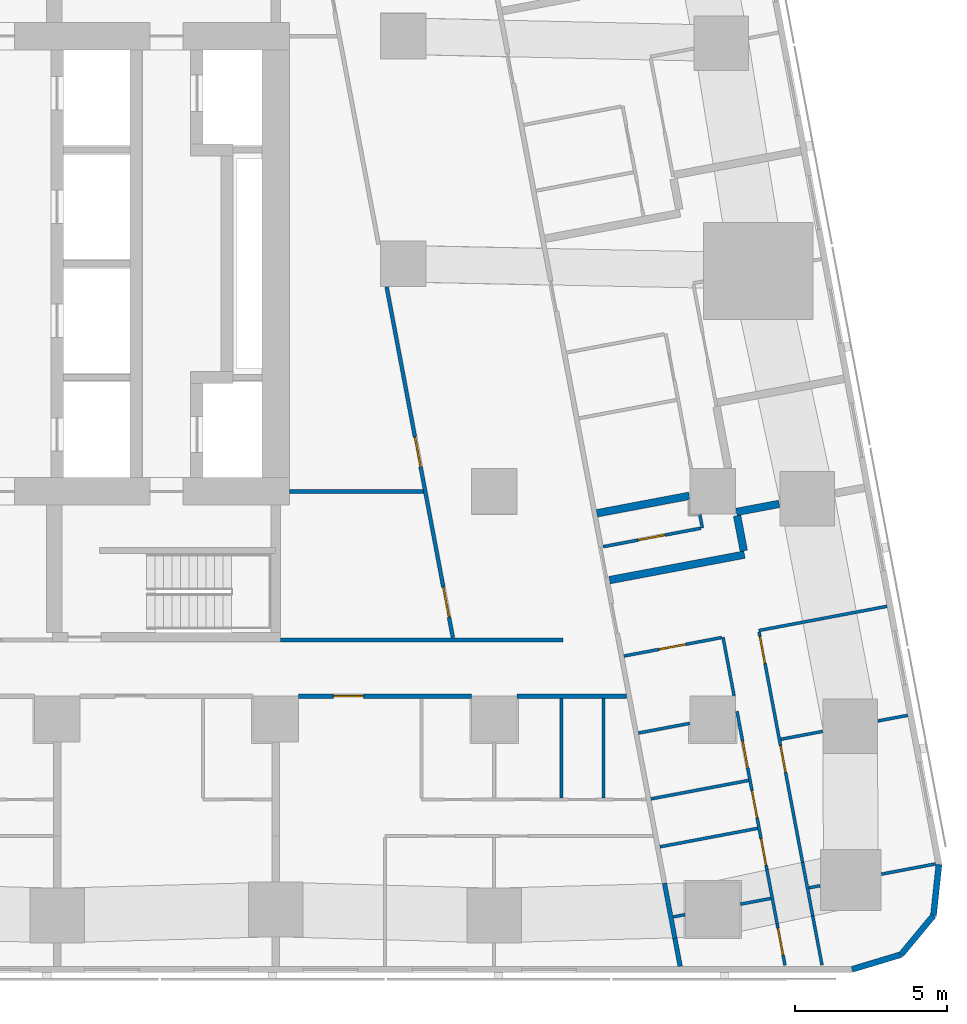
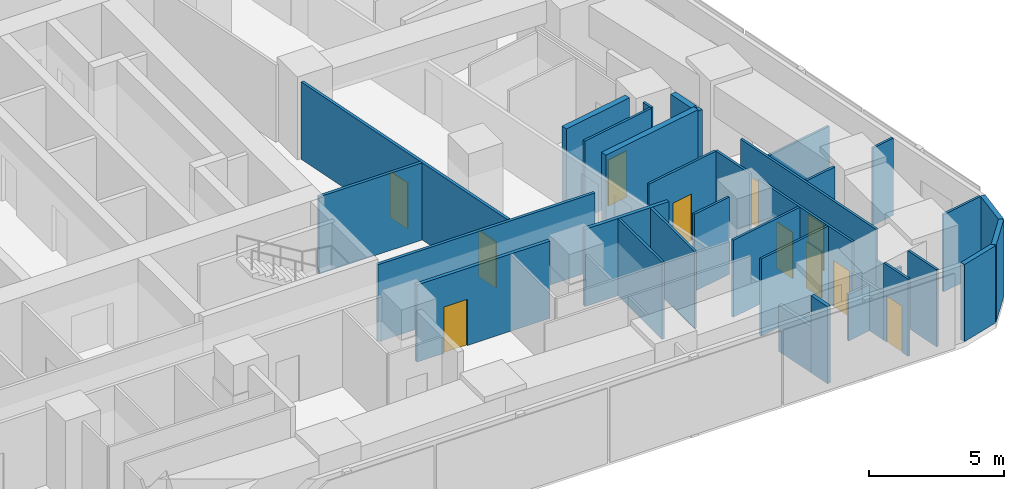
# One storey, part 6 of 15: 36 walls, 11 doors, 11 openings.
"""IFC4 building model written with IfcOpenShell, lengths in metres."""

from ifc_helpers import new_model, si_unit, direction, frame, frame_2d, origin, place, context, subcontext, project, spatial, rectangle, extrude, material, layer, layer_set, type_object, element, fill, save


model = new_model("IFC4")

# Units and contexts
model_context = context("Model", 3, precision=1e-05, world=origin(), true_north=direction((0.0, 1.0)))
body_context = subcontext(model_context, "Body", "Model", "MODEL_VIEW")
ifc_project = project(units=[si_unit("LENGTHUNIT", "METRE"), si_unit("AREAUNIT", "SQUARE_METRE"), si_unit("VOLUMEUNIT", "CUBIC_METRE"), si_unit("PLANEANGLEUNIT", "RADIAN"), si_unit("MASSUNIT", "GRAM", prefix="KILO")], contexts=[model_context])

# Site, building, storey
site_placement = place(None, origin())
site = spatial("IfcSite", under=ifc_project, at=site_placement, CompositionType="ELEMENT")
building_placement = place(site_placement, origin())
building = spatial("IfcBuilding", under=site, at=building_placement, Name="Sheger Commons Tower", CompositionType="ELEMENT")
storey_placement = place(building_placement, frame((0.0, 0.0, 169.550048828125)))
storey = spatial("IfcBuildingStorey", under=building, at=storey_placement, Name="L43", CompositionType="ELEMENT", Elevation=169.550048828125)

# Wall
ifc_material_1 = material(Name="Hollow concrete block masonry, skimmed both sides", Category="masonry")
ifc_layer_1 = layer(ifc_material_1, 0.14990234375)
ifc_layer_set_1 = layer_set([ifc_layer_1], Name="CORRIDOR WALL 150")
wall_type_1 = type_object("IfcWallType", Name="CORRIDOR WALL 150", PredefinedType="SOLIDWALL", material=ifc_layer_set_1)
wall_1_placement = place(storey_placement, frame((40.35595703125, 8.25, 0.0), z_axis=(0.0, 0.0, 1.0), x_axis=(-1.0, 0.0, 0.0)))
element("IfcWall", 1, at=wall_1_placement, inside=storey, type_object=wall_type_1, Name="Corridor wall L43", PredefinedType="SOLIDWALL", context=body_context, shape_type="SweptSolid", body=[
    extrude(rectangle(XDim=3.60498046875, YDim=0.14990234375, at=frame_2d((1.802490234375, 0.0))), origin(), (0.0, 0.0, 1.0), 3.5),
])

# Wall, opening, door
wall_2_placement = place(storey_placement, frame((35.2490234375, 8.25, 0.0), z_axis=(0.0, 0.0, 1.0), x_axis=(-1.0, 0.0, 0.0)))
wall_2 = element("IfcWall", 2, at=wall_2_placement, inside=storey, type_object=wall_type_1, Name="Corridor wall L43", PredefinedType="SOLIDWALL", context=body_context, shape_type="SweptSolid", body=[
    extrude(rectangle(XDim=5.697998046875, YDim=0.14990234375, at=frame_2d((2.84912109375, 0.0))), origin(), (0.0, 0.0, 1.0), 3.5),
])
opening_1_placement = place(wall_2_placement, frame((3.549072265625, 0.0, 0.0)))
opening_1 = element("IfcOpeningElement", 3, at=opening_1_placement, cuts=wall_2, Name="Opening D1", PredefinedType="OPENING", context=body_context, shape_type="SweptSolid", body=[
    extrude(rectangle(XDim=1.0, YDim=2.10009765625, at=frame_2d((0.5, 1.050048828125))), frame((0.0, 0.0849609375, 0.0), z_axis=(0.0, -1.0, 0.0), x_axis=(1.0, 0.0, 0.0)), (0.0, 0.0, 1.0), 0.169921875),
])
ifc_material_2 = material(Name="Steel door set, fire rated", Category="steel")
door_type_1 = type_object("IfcDoorType", Name="FLAT ENTRANCE DOOR 1000x2100", OperationType="NOTDEFINED", PredefinedType="DOOR", material=ifc_material_2)
door_1_placement = place(opening_1_placement, origin())
door_1 = element("IfcDoor", 4, at=door_1_placement, inside=storey, type_object=door_type_1, Name="Flat entrance door", OperationType="SINGLE_SWING_RIGHT", OverallHeight=2.10009765625, OverallWidth=1.0, PredefinedType="DOOR", context=body_context, shape_type="SweptSolid", body=[
    extrude(rectangle(XDim=1.0, YDim=2.10009765625, at=frame_2d((0.5, 1.050048828125))), frame((0.0, 0.02490234375, 0.0), z_axis=(0.0, -1.0, 0.0), x_axis=(1.0, 0.0, 0.0)), (0.0, 0.0, 1.0), 0.050048828125),
])
fill(opening_1, door_1)

# Walls
wall_3_placement = place(storey_placement, frame((41.60888671875, 2.093017578125, 0.0), z_axis=(0.0, 0.0, 1.0), x_axis=(0.185708872674, -0.982604811005, 0.0)))
element("IfcWall", 5, at=wall_3_placement, inside=storey, type_object=wall_type_1, Name="Corridor wall L43", PredefinedType="SOLIDWALL", context=body_context, shape_type="SweptSolid", body=[
    extrude(rectangle(XDim=1.84716796875, YDim=0.14990234375, at=frame_2d((0.923583984375, 0.0))), origin(), (0.0, 0.0, 1.0), 2.099853515625),
])
wall_4_placement = place(storey_placement, frame((41.951904296875, 0.278076171875, 0.0), z_axis=(0.0, 0.0, 1.0), x_axis=(0.185365466984, -0.982669651332, 0.0)))
element("IfcWall", 6, at=wall_4_placement, inside=storey, type_object=wall_type_1, Name="Corridor wall L43", PredefinedType="SOLIDWALL", context=body_context, shape_type="SweptSolid", body=[
    extrude(rectangle(XDim=0.9443359375, YDim=0.14990234375, at=frame_2d((0.47216796875, 0.0))), origin(), (0.0, 0.0, 1.0), 3.5),
])
ifc_material_3 = material(Name="Dense concrete block masonry, plastered both sides (separating wall between flats)", Category="masonry")
ifc_layer_2 = layer(ifc_material_3, 0.25)
ifc_layer_set_2 = layer_set([ifc_layer_2], Name="DEMISING WALL 250")
wall_type_2 = type_object("IfcWallType", Name="DEMISING WALL 250", PredefinedType="SOLIDWALL", material=ifc_layer_set_2)
wall_5_placement = place(storey_placement, frame((42.426025390625, 14.85400390625, 0.0), z_axis=(0.0, 0.0, 1.0), x_axis=(-0.982603320446, -0.185716759201, 0.0)))
element("IfcWall", 7, at=wall_5_placement, inside=storey, type_object=wall_type_2, Name="Demising wall L43", PredefinedType="SOLIDWALL", context=body_context, shape_type="SweptSolid", body=[
    extrude(rectangle(XDim=3.095947265625, YDim=0.25, at=frame_2d((1.5478515625, 0.0))), origin(), (0.0, 0.0, 1.0), 3.5),
])
wall_6_placement = place(storey_placement, frame((45.389892578125, 14.587890625, 0.0), z_axis=(0.0, 0.0, 1.0), x_axis=(-0.982680951688, -0.18530555089, 0.0)))
element("IfcWall", 8, at=wall_6_placement, inside=storey, type_object=wall_type_2, Name="Demising wall L43", PredefinedType="SOLIDWALL", context=body_context, shape_type="SweptSolid", body=[
    extrude(rectangle(XDim=1.434814453125, YDim=0.25, at=frame_2d((0.71728515625, 0.0))), origin(), (0.0, 0.0, 1.0), 2.099853515625),
])
wall_7_placement = place(storey_placement, frame((44.24609375, 12.916015625, 0.0), z_axis=(0.0, 0.0, 1.0), x_axis=(-0.982612837616, -0.185666398014, 0.0)))
element("IfcWall", 9, at=wall_7_placement, inside=storey, type_object=wall_type_2, Name="Demising wall L43", PredefinedType="SOLIDWALL", context=body_context, shape_type="SweptSolid", body=[
    extrude(rectangle(XDim=4.524658203125, YDim=0.25, at=frame_2d((2.26220703125, 0.0))), origin(), (0.0, 0.0, 1.0), 3.5),
])
wall_8_placement = place(storey_placement, frame((44.0029296875, 14.198974609375, 0.0), z_axis=(0.0, 0.0, 1.0), x_axis=(0.186323326179, -0.982488482437, 0.0)))
element("IfcWall", 10, at=wall_8_placement, inside=storey, type_object=wall_type_2, Name="Demising wall L43", PredefinedType="SOLIDWALL", context=body_context, shape_type="SweptSolid", body=[
    extrude(rectangle(XDim=1.1806640625, YDim=0.25, at=frame_2d((0.59033203125, 0.0))), origin(), (0.0, 0.0, 1.0), 3.5),
])
ifc_material_4 = material(Name="Rendered concrete block masonry, dark grey", Category="masonry")
ifc_layer_3 = layer(ifc_material_4, 0.199951171875)
ifc_layer_set_3 = layer_set([ifc_layer_3], Name="FACADE WALL 200")
wall_type_3 = type_object("IfcWallType", Name="FACADE WALL 200", PredefinedType="SOLIDWALL", material=ifc_layer_set_3)
wall_9_placement = place(storey_placement, frame((47.791015625, -0.75, 0.0), z_axis=(0.0, 0.0, 1.0), x_axis=(0.957455232626, 0.288581838509, 0.0)))
element("IfcWall", 11, at=wall_9_placement, inside=storey, type_object=wall_type_3, Name="Facade wall L43", PredefinedType="SOLIDWALL", context=body_context, shape_type="SweptSolid", body=[
    extrude(rectangle(XDim=1.687744140625, YDim=0.199951171875, at=frame_2d((0.84375, 0.0))), origin(), (0.0, 0.0, 1.0), 3.5),
])
wall_10_placement = place(storey_placement, frame((49.406982421875, -0.262939453125, 0.0), z_axis=(0.0, 0.0, 1.0), x_axis=(0.638042593423, 0.770001070764, 0.0)))
element("IfcWall", 12, at=wall_10_placement, inside=storey, type_object=wall_type_3, Name="Facade wall L43", PredefinedType="SOLIDWALL", context=body_context, shape_type="SweptSolid", body=[
    extrude(rectangle(XDim=1.672607421875, YDim=0.199951171875, at=frame_2d((0.83642578125, 0.0))), origin(), (0.0, 0.0, 1.0), 3.5),
])
wall_11_placement = place(storey_placement, frame((50.47412109375, 1.02490234375, 0.0), z_axis=(0.0, 0.0, 1.0), x_axis=(0.106047815515, 0.994361031429, 0.0)))
element("IfcWall", 13, at=wall_11_placement, inside=storey, type_object=wall_type_3, Name="Facade wall L43", PredefinedType="SOLIDWALL", context=body_context, shape_type="SweptSolid", body=[
    extrude(rectangle(XDim=1.6875, YDim=0.199951171875, at=frame_2d((0.84375, 0.0))), origin(), (0.0, 0.0, 1.0), 3.5),
])
ifc_material_5 = material(Name="Gypsum board on steel studs", Category="steel")
ifc_layer_4 = layer(ifc_material_5, 0.10009765625)
ifc_layer_set_4 = layer_set([ifc_layer_4], Name="PARTITION 100")
wall_type_4 = type_object("IfcWallType", Name="PARTITION 100", PredefinedType="PARTITIONING", material=ifc_layer_set_4)
for number, where, z_axis, x_axis, name in (
    (14, (39.60009765625, 4.89990234375, 0.0), (0.0, 0.0, 1.0), (0.0, 1.0, 0.0), "Partition L43"),
    (15, (38.2099609375, 4.89990234375, 0.0), (0.0, 0.0, 1.0), (0.0, 1.0, 0.0), "Partition L43"),
):
    element("IfcWall", number, at=place(storey_placement, frame(where, z_axis=z_axis, x_axis=x_axis)), inside=storey, type_object=wall_type_4, Name=name, PredefinedType="PARTITIONING", context=body_context, shape_type="SweptSolid", body=[
        extrude(rectangle(XDim=3.275146484375, YDim=0.10009765625, at=frame_2d((1.6376953125, 0.0))), origin(), (0.0, 0.0, 1.0), 3.5),
    ])
wall_12_placement = place(storey_placement, frame((42.77490234375, 14.239990234375, 0.0), z_axis=(0.0, 0.0, 1.0), x_axis=(0.185035443692, -0.982731847748, 0.0)))
element("IfcWall", 16, at=wall_12_placement, inside=storey, type_object=wall_type_4, Name="Partition L43", PredefinedType="PARTITIONING", context=body_context, shape_type="SweptSolid", body=[
    extrude(rectangle(XDim=0.453857421875, YDim=0.10009765625, at=frame_2d((0.22705078125, 0.0))), origin(), (0.0, 0.0, 1.0), 3.5),
])

# Wall, opening, door
wall_13_placement = place(storey_placement, frame((42.81005859375, 13.784912109375, 0.0), z_axis=(0.0, 0.0, 1.0), x_axis=(-0.982620626894, -0.185625169636, 0.0)))
wall_13 = element("IfcWall", 17, at=wall_13_placement, inside=storey, type_object=wall_type_4, Name="Partition L43", PredefinedType="PARTITIONING", context=body_context, shape_type="SweptSolid", body=[
    extrude(rectangle(XDim=3.27490234375, YDim=0.10009765625, at=frame_2d((1.637451171875, 0.0))), origin(), (0.0, 0.0, 1.0), 3.5),
])
opening_2_placement = place(wall_13_placement, frame((1.200927734375, 0.0, 0.0)))
opening_2 = element("IfcOpeningElement", 18, at=opening_2_placement, cuts=wall_13, Name="Opening D2", PredefinedType="OPENING", context=body_context, shape_type="SweptSolid", body=[
    extrude(rectangle(XDim=0.89990234375, YDim=2.10009765625, at=frame_2d((0.449951171875, 1.050048828125))), frame((0.0, 0.06005859375, 0.0), z_axis=(0.0, -1.0, 0.0), x_axis=(1.0, 0.0, 0.0)), (0.0, 0.0, 1.0), 0.1201171875),
])
ifc_material_6 = material(Name="Timber door set", Category="wood")
door_type_2 = type_object("IfcDoorType", Name="INTERNAL DOOR 900x2100", OperationType="NOTDEFINED", PredefinedType="DOOR", material=ifc_material_6)
door_2_placement = place(opening_2_placement, origin())
door_2 = element("IfcDoor", 19, at=door_2_placement, inside=storey, type_object=door_type_2, Name="Shower room door", OperationType="SINGLE_SWING_LEFT", OverallHeight=2.10009765625, OverallWidth=0.89990234375, PredefinedType="DOOR", context=body_context, shape_type="SweptSolid", body=[
    extrude(rectangle(XDim=0.89990234375, YDim=2.10009765625, at=frame_2d((0.449951171875, 1.050048828125))), frame((0.0, 0.02490234375, 0.0), z_axis=(0.0, -1.0, 0.0), x_axis=(1.0, 0.0, 0.0)), (0.0, 0.0, 1.0), 0.050048828125),
])
fill(opening_2, door_2)

# Wall, openings, doors
wall_14_placement = place(storey_placement, frame((44.72705078125, 10.365966796875, 0.0), z_axis=(0.0, 0.0, 1.0), x_axis=(0.185578957652, -0.982629355595, 0.0)))
wall_14 = element("IfcWall", 20, at=wall_14_placement, inside=storey, type_object=wall_type_4, Name="Partition L43", PredefinedType="PARTITIONING", context=body_context, shape_type="SweptSolid", body=[
    extrude(rectangle(XDim=7.720947265625, YDim=0.10009765625, at=frame_2d((3.8603515625, 0.0))), origin(), (0.0, 0.0, 1.0), 3.5),
])
opening_3_placement = place(wall_14_placement, frame((0.15087890625, 0.0, 0.0)))
opening_3 = element("IfcOpeningElement", 21, at=opening_3_placement, cuts=wall_14, Name="Opening D2", PredefinedType="OPENING", context=body_context, shape_type="SweptSolid", body=[
    extrude(rectangle(XDim=0.89990234375, YDim=2.10009765625, at=frame_2d((0.449951171875, 1.050048828125))), frame((0.0, 0.06005859375, 0.0), z_axis=(0.0, -1.0, 0.0), x_axis=(1.0, 0.0, 0.0)), (0.0, 0.0, 1.0), 0.1201171875),
])
opening_4_placement = place(wall_14_placement, frame((3.805908203125, 0.0, 0.0)))
opening_4 = element("IfcOpeningElement", 22, at=opening_4_placement, cuts=wall_14, Name="Opening D2", PredefinedType="OPENING", context=body_context, shape_type="SweptSolid", body=[
    extrude(rectangle(XDim=0.89990234375, YDim=2.10009765625, at=frame_2d((0.449951171875, 1.050048828125))), frame((0.0, 0.06005859375, 0.0), z_axis=(0.0, -1.0, 0.0), x_axis=(1.0, 0.0, 0.0)), (0.0, 0.0, 1.0), 0.1201171875),
])
door_3_placement = place(opening_3_placement, origin())
door_3 = element("IfcDoor", 23, at=door_3_placement, inside=storey, type_object=door_type_2, Name="Main bedroom door", OperationType="SINGLE_SWING_LEFT", OverallHeight=2.10009765625, OverallWidth=0.89990234375, PredefinedType="DOOR", context=body_context, shape_type="SweptSolid", body=[
    extrude(rectangle(XDim=0.89990234375, YDim=2.10009765625, at=frame_2d((0.449951171875, 1.050048828125))), frame((0.0, 0.02490234375, 0.0), z_axis=(0.0, -1.0, 0.0), x_axis=(1.0, 0.0, 0.0)), (0.0, 0.0, 1.0), 0.050048828125),
])
fill(opening_3, door_3)
door_4_placement = place(opening_4_placement, origin())
door_4 = element("IfcDoor", 24, at=door_4_placement, inside=storey, type_object=door_type_2, Name="Bedroom 2 door", OperationType="SINGLE_SWING_LEFT", OverallHeight=2.10009765625, OverallWidth=0.89990234375, PredefinedType="DOOR", context=body_context, shape_type="SweptSolid", body=[
    extrude(rectangle(XDim=0.89990234375, YDim=2.10009765625, at=frame_2d((0.449951171875, 1.050048828125))), frame((0.0, 0.02490234375, 0.0), z_axis=(0.0, -1.0, 0.0), x_axis=(1.0, 0.0, 0.0)), (0.0, 0.0, 1.0), 0.050048828125),
])
fill(opening_4, door_4)

# Walls
wall_15_placement = place(storey_placement, frame((46.159912109375, 2.779052734375, 0.0), z_axis=(0.0, 0.0, 1.0), x_axis=(0.18597295662, -0.982554863306, 0.0)))
element("IfcWall", 25, at=wall_15_placement, inside=storey, type_object=wall_type_4, Name="Partition L43", PredefinedType="PARTITIONING", context=body_context, shape_type="SweptSolid", body=[
    extrude(rectangle(XDim=1.802490234375, YDim=0.10009765625, at=frame_2d((0.9013671875, 0.0))), origin(), (0.0, 0.0, 1.0), 2.099853515625),
])
wall_16_placement = place(storey_placement, frame((46.4951171875, 1.008056640625, 0.0), z_axis=(0.0, 0.0, 1.0), x_axis=(0.185535059532, -0.982637645159, 0.0)))
element("IfcWall", 26, at=wall_16_placement, inside=storey, type_object=wall_type_4, Name="Partition L43", PredefinedType="PARTITIONING", context=body_context, shape_type="SweptSolid", body=[
    extrude(rectangle(XDim=1.6435546875, YDim=0.10009765625, at=frame_2d((0.82177734375, 0.0))), origin(), (0.0, 0.0, 1.0), 3.5),
])
wall_17_placement = place(storey_placement, frame((43.5390625, 10.19189453125, 0.0), z_axis=(0.0, 0.0, 1.0), x_axis=(0.18564540894, -0.982616803306, 0.0)))
element("IfcWall", 27, at=wall_17_placement, inside=storey, type_object=wall_type_4, Name="Partition L43", PredefinedType="PARTITIONING", context=body_context, shape_type="SweptSolid", body=[
    extrude(rectangle(XDim=1.966064453125, YDim=0.10009765625, at=frame_2d((0.98291015625, 0.0))), origin(), (0.0, 0.0, 1.0), 3.5),
])

# Wall, openings, doors
wall_18_placement = place(storey_placement, frame((43.9990234375, 7.7548828125, 0.0), z_axis=(0.0, 0.0, 1.0), x_axis=(0.185565904578, -0.982631820703, 0.0)))
wall_18 = element("IfcWall", 28, at=wall_18_placement, inside=storey, type_object=wall_type_4, Name="Partition L43", PredefinedType="PARTITIONING", context=body_context, shape_type="SweptSolid", body=[
    extrude(rectangle(XDim=5.319091796875, YDim=0.10009765625, at=frame_2d((2.65966796875, 0.0))), origin(), (0.0, 0.0, 1.0), 3.5),
])
opening_5_placement = place(wall_18_placement, frame((1.0, 0.0, 0.0)))
opening_5 = element("IfcOpeningElement", 29, at=opening_5_placement, cuts=wall_18, Name="Opening D2", PredefinedType="OPENING", context=body_context, shape_type="SweptSolid", body=[
    extrude(rectangle(XDim=0.89990234375, YDim=2.10009765625, at=frame_2d((0.449951171875, 1.050048828125))), frame((0.0, 0.06005859375, 0.0), z_axis=(0.0, -1.0, 0.0), x_axis=(1.0, 0.0, 0.0)), (0.0, 0.0, 1.0), 0.1201171875),
])
opening_6_placement = place(wall_18_placement, frame((4.26904296875, 0.0, 0.0)))
opening_6 = element("IfcOpeningElement", 30, at=opening_6_placement, cuts=wall_18, Name="Opening D2", PredefinedType="OPENING", context=body_context, shape_type="SweptSolid", body=[
    extrude(rectangle(XDim=0.89990234375, YDim=2.10009765625, at=frame_2d((0.449951171875, 1.050048828125))), frame((0.0, 0.06005859375, 0.0), z_axis=(0.0, -1.0, 0.0), x_axis=(1.0, 0.0, 0.0)), (0.0, 0.0, 1.0), 0.1201171875),
])
opening_7_placement = place(wall_18_placement, frame((2.6650390625, 0.0, 0.0)))
opening_7 = element("IfcOpeningElement", 31, at=opening_7_placement, cuts=wall_18, Name="Opening D2", PredefinedType="OPENING", context=body_context, shape_type="SweptSolid", body=[
    extrude(rectangle(XDim=0.89990234375, YDim=2.10009765625, at=frame_2d((0.449951171875, 1.050048828125))), frame((0.0, 0.06005859375, 0.0), z_axis=(0.0, -1.0, 0.0), x_axis=(1.0, 0.0, 0.0)), (0.0, 0.0, 1.0), 0.1201171875),
])
door_5_placement = place(opening_5_placement, origin())
door_5 = element("IfcDoor", 32, at=door_5_placement, inside=storey, type_object=door_type_2, Name="Bathroom door", OperationType="SINGLE_SWING_LEFT", OverallHeight=2.10009765625, OverallWidth=0.89990234375, PredefinedType="DOOR", context=body_context, shape_type="SweptSolid", body=[
    extrude(rectangle(XDim=0.89990234375, YDim=2.10009765625, at=frame_2d((0.449951171875, 1.050048828125))), frame((0.0, 0.02490234375, 0.0), z_axis=(0.0, -1.0, 0.0), x_axis=(1.0, 0.0, 0.0)), (0.0, 0.0, 1.0), 0.050048828125),
])
fill(opening_5, door_5)
door_6_placement = place(opening_6_placement, origin())
door_6 = element("IfcDoor", 33, at=door_6_placement, inside=storey, type_object=door_type_2, Name="Laundry room door", OperationType="SINGLE_SWING_LEFT", OverallHeight=2.10009765625, OverallWidth=0.89990234375, PredefinedType="DOOR", context=body_context, shape_type="SweptSolid", body=[
    extrude(rectangle(XDim=0.89990234375, YDim=2.10009765625, at=frame_2d((0.449951171875, 1.050048828125))), frame((0.0, 0.02490234375, 0.0), z_axis=(0.0, -1.0, 0.0), x_axis=(1.0, 0.0, 0.0)), (0.0, 0.0, 1.0), 0.050048828125),
])
fill(opening_6, door_6)
door_7_placement = place(opening_7_placement, origin())
door_7 = element("IfcDoor", 34, at=door_7_placement, inside=storey, type_object=door_type_2, Name="Store door", OperationType="SINGLE_SWING_LEFT", OverallHeight=2.10009765625, OverallWidth=0.89990234375, PredefinedType="DOOR", context=body_context, shape_type="SweptSolid", body=[
    extrude(rectangle(XDim=0.89990234375, YDim=2.10009765625, at=frame_2d((0.449951171875, 1.050048828125))), frame((0.0, 0.02490234375, 0.0), z_axis=(0.0, -1.0, 0.0), x_axis=(1.0, 0.0, 0.0)), (0.0, 0.0, 1.0), 0.050048828125),
])
fill(opening_7, door_7)

# Wall
wall_19_placement = place(storey_placement, frame((44.986083984375, 2.528076171875, 0.0), z_axis=(0.0, 0.0, 1.0), x_axis=(0.18584218627, -0.982579605835, 0.0)))
element("IfcWall", 35, at=wall_19_placement, inside=storey, type_object=wall_type_4, Name="Partition L43", PredefinedType="PARTITIONING", context=body_context, shape_type="SweptSolid", body=[
    extrude(rectangle(XDim=1.802490234375, YDim=0.10009765625, at=frame_2d((0.9013671875, 0.0))), origin(), (0.0, 0.0, 1.0), 2.099853515625),
])

# Wall, opening, door
wall_20_placement = place(storey_placement, frame((45.321044921875, 0.757080078125, 0.0), z_axis=(0.0, 0.0, 1.0), x_axis=(0.185640562635, -0.982617718904, 0.0)))
wall_20 = element("IfcWall", 36, at=wall_20_placement, inside=storey, type_object=wall_type_4, Name="Partition L43", PredefinedType="PARTITIONING", context=body_context, shape_type="SweptSolid", body=[
    extrude(rectangle(XDim=1.395263671875, YDim=0.10009765625, at=frame_2d((0.69775390625, 0.0))), origin(), (0.0, 0.0, 1.0), 3.5),
])
opening_8_placement = place(wall_20_placement, frame((0.14990234375, 0.0, 0.0)))
opening_8 = element("IfcOpeningElement", 37, at=opening_8_placement, cuts=wall_20, Name="Opening D2", PredefinedType="OPENING", context=body_context, shape_type="SweptSolid", body=[
    extrude(rectangle(XDim=0.89990234375, YDim=2.10009765625, at=frame_2d((0.449951171875, 1.050048828125))), frame((0.0, 0.06005859375, 0.0), z_axis=(0.0, -1.0, 0.0), x_axis=(1.0, 0.0, 0.0)), (0.0, 0.0, 1.0), 0.1201171875),
])
door_8_placement = place(opening_8_placement, origin())
door_8 = element("IfcDoor", 38, at=door_8_placement, inside=storey, type_object=door_type_2, Name="Laundry room door", OperationType="SINGLE_SWING_RIGHT", OverallHeight=2.10009765625, OverallWidth=0.89990234375, PredefinedType="DOOR", context=body_context, shape_type="SweptSolid", body=[
    extrude(rectangle(XDim=0.89990234375, YDim=2.10009765625, at=frame_2d((0.449951171875, 1.050048828125))), frame((0.0, 0.02490234375, 0.0), z_axis=(0.0, -1.0, 0.0), x_axis=(1.0, 0.0, 0.0)), (0.0, 0.0, 1.0), 0.050048828125),
])
fill(opening_8, door_8)

# Walls
wall_21_placement = place(storey_placement, frame((48.943115234375, 11.212890625, 0.0), z_axis=(0.0, 0.0, 1.0), x_axis=(-0.982633535512, -0.185556823879, 0.0)))
element("IfcWall", 39, at=wall_21_placement, inside=storey, type_object=wall_type_4, Name="Partition L43", PredefinedType="PARTITIONING", context=body_context, shape_type="SweptSolid", body=[
    extrude(rectangle(XDim=4.2998046875, YDim=0.10009765625, at=frame_2d((2.14990234375, 0.0))), origin(), (0.0, 0.0, 1.0), 2.099853515625),
])
wall_22_placement = place(storey_placement, frame((49.6220703125, 7.6201171875, 0.0), z_axis=(0.0, 0.0, 1.0), x_axis=(-0.982708646087, -0.185158626332, 0.0)))
element("IfcWall", 40, at=wall_22_placement, inside=storey, type_object=wall_type_4, Name="Partition L43", PredefinedType="PARTITIONING", context=body_context, shape_type="SweptSolid", body=[
    extrude(rectangle(XDim=0.99951171875, YDim=0.10009765625, at=frame_2d((0.499755859375, 0.0))), origin(), (0.0, 0.0, 1.0), 3.5),
])
wall_23_placement = place(storey_placement, frame((46.820068359375, 7.091064453125, 0.0), z_axis=(0.0, 0.0, 1.0), x_axis=(-0.982689853246, -0.185258339427, 0.0)))
element("IfcWall", 41, at=wall_23_placement, inside=storey, type_object=wall_type_4, Name="Partition L43", PredefinedType="PARTITIONING", context=body_context, shape_type="SweptSolid", body=[
    extrude(rectangle(XDim=1.398193359375, YDim=0.10009765625, at=frame_2d((0.69921875, 0.0))), origin(), (0.0, 0.0, 1.0), 3.5),
])
wall_24_placement = place(storey_placement, frame((50.547119140625, 2.72607421875, 0.0), z_axis=(0.0, 0.0, 1.0), x_axis=(-0.982603988143, -0.185713226471, 0.0)))
element("IfcWall", 42, at=wall_24_placement, inside=storey, type_object=wall_type_4, Name="Partition L43", PredefinedType="PARTITIONING", context=body_context, shape_type="SweptSolid", body=[
    extrude(rectangle(XDim=1.82080078125, YDim=0.10009765625, at=frame_2d((0.910400390625, 0.0))), origin(), (0.0, 0.0, 1.0), 3.5),
])
wall_25_placement = place(storey_placement, frame((46.738037109375, 2.006103515625, 0.0), z_axis=(0.0, 0.0, 1.0), x_axis=(-0.982820466874, -0.184564161994, 0.0)))
element("IfcWall", 43, at=wall_25_placement, inside=storey, type_object=wall_type_4, Name="Partition L43", PredefinedType="PARTITIONING", context=body_context, shape_type="SweptSolid", body=[
    extrude(rectangle(XDim=0.374267578125, YDim=0.10009765625, at=frame_2d((0.18701171875, 0.0))), origin(), (0.0, 0.0, 1.0), 2.099853515625),
])

# Wall, opening, door
wall_26_placement = place(storey_placement, frame((43.489990234375, 10.18310546875, 0.0), z_axis=(0.0, 0.0, 1.0), x_axis=(-0.982607026909, -0.185697147715, 0.0)))
wall_26 = element("IfcWall", 44, at=wall_26_placement, inside=storey, type_object=wall_type_4, Name="Partition L43", PredefinedType="PARTITIONING", context=body_context, shape_type="SweptSolid", body=[
    extrude(rectangle(XDim=3.27490234375, YDim=0.10009765625, at=frame_2d((1.637451171875, 0.0))), origin(), (0.0, 0.0, 1.0), 3.5),
])
opening_9_placement = place(wall_26_placement, frame((1.199951171875, 0.0, 0.0)))
opening_9 = element("IfcOpeningElement", 45, at=opening_9_placement, cuts=wall_26, Name="Opening D2", PredefinedType="OPENING", context=body_context, shape_type="SweptSolid", body=[
    extrude(rectangle(XDim=0.89990234375, YDim=2.10009765625, at=frame_2d((0.449951171875, 1.050048828125))), frame((0.0, 0.06005859375, 0.0), z_axis=(0.0, -1.0, 0.0), x_axis=(1.0, 0.0, 0.0)), (0.0, 0.0, 1.0), 0.1201171875),
])
door_9_placement = place(opening_9_placement, origin())
door_9 = element("IfcDoor", 46, at=door_9_placement, inside=storey, type_object=door_type_2, Name="Store door", OperationType="SINGLE_SWING_LEFT", OverallHeight=2.10009765625, OverallWidth=0.89990234375, PredefinedType="DOOR", context=body_context, shape_type="SweptSolid", body=[
    extrude(rectangle(XDim=0.89990234375, YDim=2.10009765625, at=frame_2d((0.449951171875, 1.050048828125))), frame((0.0, 0.02490234375, 0.0), z_axis=(0.0, -1.0, 0.0), x_axis=(1.0, 0.0, 0.0)), (0.0, 0.0, 1.0), 0.050048828125),
])
fill(opening_9, door_9)

# Walls
wall_27_placement = place(storey_placement, frame((42.43994140625, 7.35693359375, 0.0), z_axis=(0.0, 0.0, 1.0), x_axis=(-0.982643094077, -0.185506198448, 0.0)))
element("IfcWall", 47, at=wall_27_placement, inside=storey, type_object=wall_type_4, Name="Partition L43", PredefinedType="PARTITIONING", context=body_context, shape_type="SweptSolid", body=[
    extrude(rectangle(XDim=1.71875, YDim=0.10009765625, at=frame_2d((0.859375, 0.0))), origin(), (0.0, 0.0, 1.0), 3.5),
])
wall_28_placement = place(storey_placement, frame((45.114013671875, 1.5869140625, 0.0), z_axis=(0.0, 0.0, 1.0), x_axis=(-0.982567886437, -0.185904138047, 0.0)))
element("IfcWall", 48, at=wall_28_placement, inside=storey, type_object=wall_type_4, Name="Partition L43", PredefinedType="PARTITIONING", context=body_context, shape_type="SweptSolid", body=[
    extrude(rectangle(XDim=1.021728515625, YDim=0.10009765625, at=frame_2d((0.5107421875, 0.0))), origin(), (0.0, 0.0, 1.0), 2.099853515625),
])
wall_29_placement = place(storey_placement, frame((42.2900390625, 1.052978515625, 0.0), z_axis=(0.0, 0.0, 1.0), x_axis=(-0.982830800147, -0.184509127909, 0.0)))
element("IfcWall", 49, at=wall_29_placement, inside=storey, type_object=wall_type_4, Name="Partition L43", PredefinedType="PARTITIONING", context=body_context, shape_type="SweptSolid", body=[
    extrude(rectangle(XDim=0.40087890625, YDim=0.10009765625, at=frame_2d((0.200439453125, 0.0))), origin(), (0.0, 0.0, 1.0), 2.099853515625),
])
wall_30_placement = place(storey_placement, frame((44.677001953125, 3.89599609375, 0.0), z_axis=(0.0, 0.0, 1.0), x_axis=(-0.982610347627, -0.185679575441, 0.0)))
element("IfcWall", 50, at=wall_30_placement, inside=storey, type_object=wall_type_4, Name="Partition L43", PredefinedType="PARTITIONING", context=body_context, shape_type="SweptSolid", body=[
    extrude(rectangle(XDim=3.27392578125, YDim=0.10009765625, at=frame_2d((1.636962890625, 0.0))), origin(), (0.0, 0.0, 1.0), 3.5),
])
wall_31_placement = place(storey_placement, frame((44.37890625, 5.47412109375, 0.0), z_axis=(0.0, 0.0, 1.0), x_axis=(-0.982607026909, -0.185697147715, 0.0)))
element("IfcWall", 51, at=wall_31_placement, inside=storey, type_object=wall_type_4, Name="Partition L43", PredefinedType="PARTITIONING", context=body_context, shape_type="SweptSolid", body=[
    extrude(rectangle(XDim=3.27490234375, YDim=0.10009765625, at=frame_2d((1.637451171875, 0.0))), origin(), (0.0, 0.0, 1.0), 3.5),
])
ifc_material_7 = material(Name="Gypsum board on steel studs, two layers each side, fire rated", Category="steel")
ifc_layer_5 = layer(ifc_material_7, 0.125)
ifc_layer_set_5 = layer_set([ifc_layer_5], Name="SERVICE WALL 125")
wall_type_5 = type_object("IfcWallType", Name="SERVICE WALL 125", PredefinedType="PARTITIONING", material=ifc_layer_set_5)
wall_32_placement = place(storey_placement, frame((28.949951171875, 10.10009765625, 0.0), z_axis=(0.0, 0.0, 1.0), x_axis=(1.0, 0.0, 0.0)))
element("IfcWall", 52, at=wall_32_placement, inside=storey, type_object=wall_type_5, Name="Service room wall L43", PredefinedType="PARTITIONING", context=body_context, shape_type="SweptSolid", body=[
    extrude(rectangle(XDim=9.31494140625, YDim=0.125, at=frame_2d((4.657470703125, 0.0))), origin(), (0.0, 0.0, 1.0), 3.5),
])

# Wall, openings, doors
wall_33_placement = place(storey_placement, frame((34.637939453125, 10.174072265625, 0.0), z_axis=(0.0, 0.0, 1.0), x_axis=(-0.185583626094, 0.982628473903, 0.0)))
wall_33 = element("IfcWall", 53, at=wall_33_placement, inside=storey, type_object=wall_type_5, Name="Service room wall L43", PredefinedType="PARTITIONING", context=body_context, shape_type="SweptSolid", body=[
    extrude(rectangle(XDim=11.767333984375, YDim=0.125, at=frame_2d((5.8837890625, 0.0))), origin(), (0.0, 0.0, 1.0), 3.5),
])
opening_10_placement = place(wall_33_placement, frame((0.697021484375, 0.0, 0.0)))
opening_10 = element("IfcOpeningElement", 54, at=opening_10_placement, cuts=wall_33, Name="Opening D4", PredefinedType="OPENING", context=body_context, shape_type="SweptSolid", body=[
    extrude(rectangle(XDim=1.0, YDim=2.10009765625, at=frame_2d((0.5, 1.050048828125))), frame((0.0, 0.072509765625, 0.0), z_axis=(0.0, -1.0, 0.0), x_axis=(1.0, 0.0, 0.0)), (0.0, 0.0, 1.0), 0.14501953125),
])
opening_11_placement = place(wall_33_placement, frame((5.73388671875, 0.0, 0.0)))
opening_11 = element("IfcOpeningElement", 55, at=opening_11_placement, cuts=wall_33, Name="Opening D4", PredefinedType="OPENING", context=body_context, shape_type="SweptSolid", body=[
    extrude(rectangle(XDim=1.0, YDim=2.10009765625, at=frame_2d((0.5, 1.050048828125))), frame((0.0, 0.072509765625, 0.0), z_axis=(0.0, -1.0, 0.0), x_axis=(1.0, 0.0, 0.0)), (0.0, 0.0, 1.0), 0.14501953125),
])
ifc_material_8 = material(Name="Steel door set, fire rated", Category="steel")
door_type_3 = type_object("IfcDoorType", Name="SERVICE DOOR 1000x2100", OperationType="NOTDEFINED", PredefinedType="DOOR", material=ifc_material_8)
door_10_placement = place(opening_10_placement, origin())
door_10 = element("IfcDoor", 56, at=door_10_placement, inside=storey, type_object=door_type_3, Name="Parcel and delivery room door", OperationType="SINGLE_SWING_LEFT", OverallHeight=2.10009765625, OverallWidth=1.0, PredefinedType="DOOR", context=body_context, shape_type="SweptSolid", body=[
    extrude(rectangle(XDim=1.0, YDim=2.10009765625, at=frame_2d((0.5, 1.050048828125))), frame((0.0, 0.02490234375, 0.0), z_axis=(0.0, -1.0, 0.0), x_axis=(1.0, 0.0, 0.0)), (0.0, 0.0, 1.0), 0.050048828125),
])
fill(opening_10, door_10)
door_11_placement = place(opening_11_placement, origin())
door_11 = element("IfcDoor", 57, at=door_11_placement, inside=storey, type_object=door_type_3, Name="Residents' gym door", OperationType="SINGLE_SWING_LEFT", OverallHeight=2.10009765625, OverallWidth=1.0, PredefinedType="DOOR", context=body_context, shape_type="SweptSolid", body=[
    extrude(rectangle(XDim=1.0, YDim=2.10009765625, at=frame_2d((0.5, 1.050048828125))), frame((0.0, 0.02490234375, 0.0), z_axis=(0.0, -1.0, 0.0), x_axis=(1.0, 0.0, 0.0)), (0.0, 0.0, 1.0), 0.050048828125),
])
fill(opening_11, door_11)

# Wall
wall_34_placement = place(storey_placement, frame((29.25, 15.0, 0.0), z_axis=(0.0, 0.0, 1.0), x_axis=(1.0, 0.0, 0.0)))
element("IfcWall", 58, at=wall_34_placement, inside=storey, type_object=wall_type_5, Name="Service room wall L43", PredefinedType="PARTITIONING", context=body_context, shape_type="SweptSolid", body=[
    extrude(rectangle(XDim=4.4130859375, YDim=0.125, at=frame_2d((2.20654296875, 0.0))), origin(), (0.0, 0.0, 1.0), 3.5),
])

save(model, "model.ifc")
